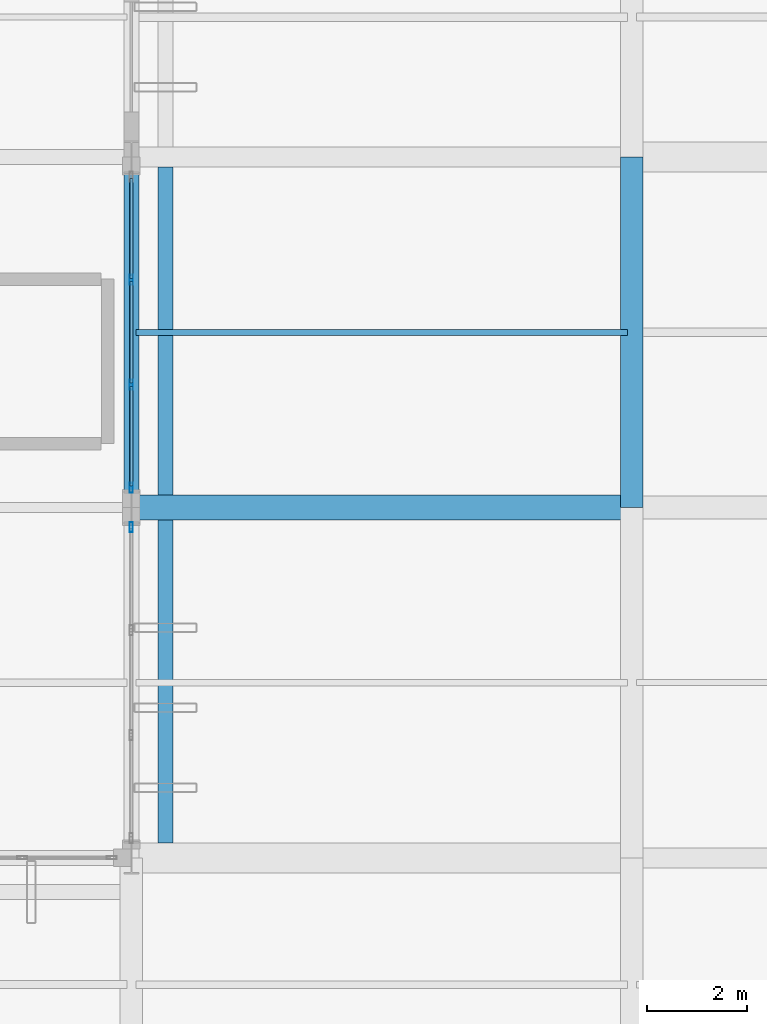
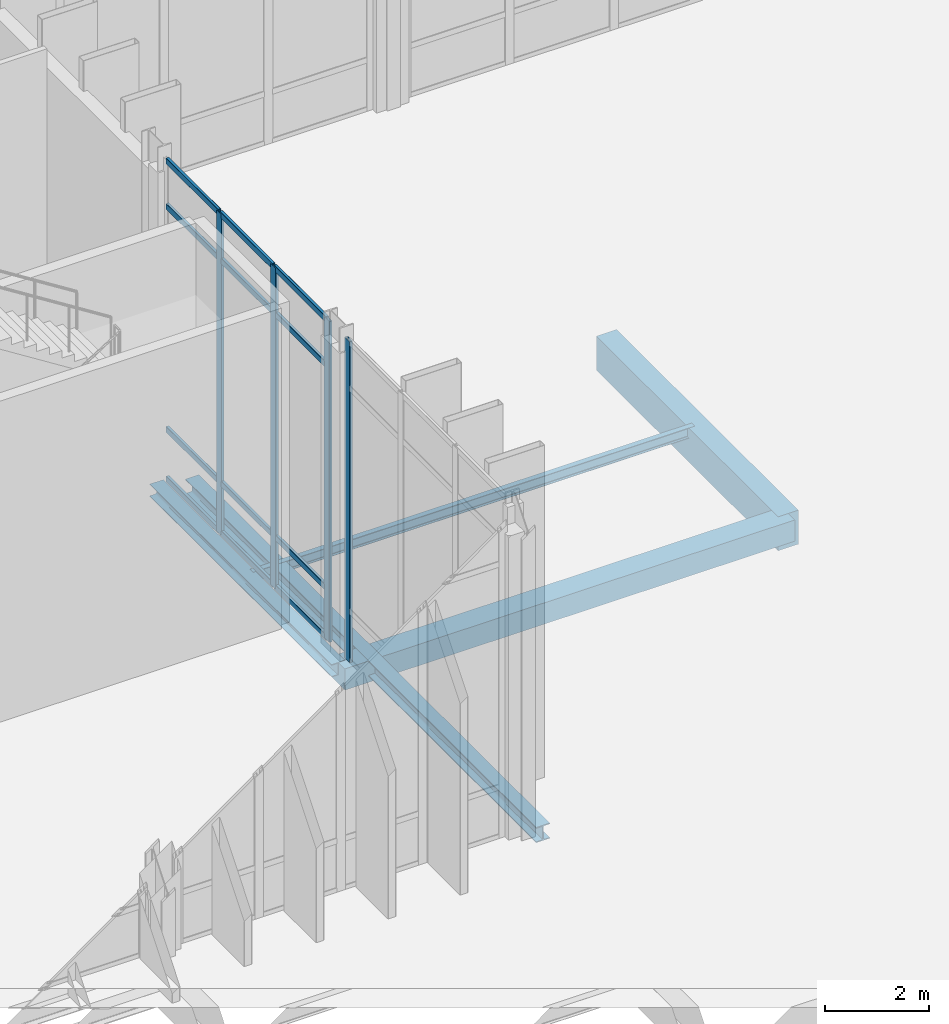
# One storey, part 89 of 176: 16 members, 5 beams, 2 elements without a shape of their own.
"""IFC4 building model written with IfcOpenShell, lengths in metres."""

from ifc_helpers import new_model, si_unit, direction, frame, origin, origin_2d, place, context, subcontext, project, spatial, rectangle, hollow_rectangle, i_section, extrude, material, layer, layer_set, material_profile, profile_set, type_object, element, aggregate, save


model = new_model("IFC4")

# Units and contexts
model_context = context("Model", 3, precision=1e-05, world=origin(), true_north=direction((0.0, 1.0)))
body_context = subcontext(model_context, "Body", "Model", "MODEL_VIEW")
ifc_project = project(units=[si_unit("LENGTHUNIT", "METRE"), si_unit("AREAUNIT", "SQUARE_METRE"), si_unit("VOLUMEUNIT", "CUBIC_METRE"), si_unit("PLANEANGLEUNIT", "RADIAN"), si_unit("MASSUNIT", "GRAM", prefix="KILO")], contexts=[model_context])

# Site, building, storey
site_placement = place(None, origin())
site = spatial("IfcSite", under=ifc_project, at=site_placement, CompositionType="ELEMENT")
building_placement = place(site_placement, origin())
building = spatial("IfcBuilding", under=site, at=building_placement, Name="Vekula Escarpment Museum", CompositionType="ELEMENT")
storey_placement = place(building_placement, origin())
storey = spatial("IfcBuildingStorey", under=building, at=storey_placement, Name="L01", CompositionType="ELEMENT", Elevation=0.0)

# Beams
ifc_material_1 = material(Name="Steel S355", Category="steel")
ifc_material_profile_1 = material_profile(ifc_material_1, i_section(OverallWidth=0.300048828125, OverallDepth=0.360107421875, WebThickness=0.012451171875, FlangeThickness=0.0224609375, FilletRadius=0.027099609375, at=origin_2d()), Name="HEB 360")
ifc_profile_set_1 = profile_set([ifc_material_profile_1], Name="Steel S355")
beam_type_1 = type_object("IfcBeamType", Name="BM-GIRD-HEB360", PredefinedType="BEAM", material=ifc_profile_set_1)
beam_1_placement = place(storey_placement, frame((126.679931640625, 45.89990234375, -0.47998046875), z_axis=(0.0, 1.0, 0.0), x_axis=(-1.0, 0.0, 0.0)))
element("IfcBeam", 1, at=beam_1_placement, inside=storey, type_object=beam_type_1, Name="Solar Fin Sill Girder 020", PredefinedType="BEAM", context=body_context, shape_type="SweptSolid", body=[
    extrude(i_section(OverallWidth=0.300048828125, OverallDepth=0.360107421875, WebThickness=0.012451171875, FlangeThickness=0.0224609375, FilletRadius=0.027099609375, at=origin_2d()), origin(), (0.0, 0.0, 1.0), 13.5),
])
ifc_material_2 = material(Name="Steel S355", Category="steel")
ifc_material_profile_2 = material_profile(ifc_material_2, i_section(OverallWidth=0.1201171875, OverallDepth=0.239990234375, WebThickness=0.006103515625, FlangeThickness=0.009765625, FilletRadius=0.014892578125, at=origin_2d()), Name="IPE 240")
ifc_profile_set_2 = profile_set([ifc_material_profile_2], Name="Steel S355")
beam_type_2 = type_object("IfcBeamType", Name="BM-JST-IPE240", PredefinedType="JOIST", material=ifc_profile_set_2)
beam_2_placement = place(storey_placement, frame((126.090087890625, 56.10009765625, -0.419921875), z_axis=(1.0, 0.0, 0.0), x_axis=(0.0, 1.0, 0.0)))
element("IfcBeam", 2, at=beam_2_placement, inside=storey, type_object=beam_type_2, Name="Secondary Joist L01 0426", PredefinedType="JOIST", context=body_context, shape_type="SweptSolid", body=[
    extrude(i_section(OverallWidth=0.1201171875, OverallDepth=0.239990234375, WebThickness=0.006103515625, FlangeThickness=0.009765625, FilletRadius=0.014892578125, at=origin_2d()), origin(), (0.0, 0.0, 1.0), 9.81982421875),
])
ifc_material_3 = material(Name="Concrete C35/45", Category="concrete")
ifc_material_profile_3 = material_profile(ifc_material_3, rectangle(XDim=0.449951171875, YDim=0.800048828125, at=origin_2d()), Name="RC 450x800")
ifc_profile_set_3 = profile_set([ifc_material_profile_3], Name="Concrete C35/45")
beam_type_3 = type_object("IfcBeamType", Name="BM-PLINTH-RC", PredefinedType="BEAM", material=ifc_profile_set_3)
beam_3_placement = place(storey_placement, frame((136.0, 52.60009765625, -0.699951171875), z_axis=(0.0, 1.0, 0.0), x_axis=(-1.0, 0.0, 0.0)))
element("IfcBeam", 3, at=beam_3_placement, inside=storey, type_object=beam_type_3, Name="Beam Y L01 0675", PredefinedType="BEAM", context=body_context, shape_type="SweptSolid", body=[
    extrude(rectangle(XDim=0.449951171875, YDim=0.800048828125, at=origin_2d()), origin(), (0.0, 0.0, 1.0), 7.0),
])
ifc_material_4 = material(Name="Concrete C35/45", Category="concrete")
ifc_material_profile_4 = material_profile(ifc_material_4, rectangle(XDim=0.5, YDim=0.5, at=origin_2d()), Name="RC 500x500")
ifc_profile_set_4 = profile_set([ifc_material_profile_4], Name="Concrete C35/45")
beam_type_4 = type_object("IfcBeamType", Name="BM-PLINTH-RC3", PredefinedType="BEAM", material=ifc_profile_set_4)
beam_4_placement = place(storey_placement, frame((126.0, 52.60009765625, -0.550048828125), z_axis=(1.0, 0.0, 0.0), x_axis=(0.0, 1.0, 0.0)))
element("IfcBeam", 4, at=beam_4_placement, inside=storey, type_object=beam_type_4, Name="Beam X L01 0153", PredefinedType="BEAM", context=body_context, shape_type="SweptSolid", body=[
    extrude(rectangle(XDim=0.5, YDim=0.5, at=origin_2d()), origin(), (0.0, 0.0, 1.0), 10.0),
])
ifc_material_5 = material(Name="Steel S355", Category="steel")
ifc_material_profile_5 = material_profile(ifc_material_5, i_section(OverallWidth=0.300048828125, OverallDepth=0.2900390625, WebThickness=0.008544921875, FlangeThickness=0.013916015625, FilletRadius=0.027099609375, at=origin_2d()), Name="HEA 300")
ifc_profile_set_5 = profile_set([ifc_material_profile_5], Name="Steel S355")
beam_type_5 = type_object("IfcBeamType", Name="BM-SPAN-HEA300", PredefinedType="SPANDREL", material=ifc_profile_set_5)
beam_5_placement = place(storey_placement, frame((126.0, 52.60009765625, -0.445068359375), z_axis=(0.0, 1.0, 0.0), x_axis=(-1.0, 0.0, 0.0)))
element("IfcBeam", 5, at=beam_5_placement, inside=storey, type_object=beam_type_5, Name="Beam Y L01 0656", PredefinedType="SPANDREL", context=body_context, shape_type="SweptSolid", body=[
    extrude(i_section(OverallWidth=0.300048828125, OverallDepth=0.2900390625, WebThickness=0.008544921875, FlangeThickness=0.013916015625, FilletRadius=0.027099609375, at=origin_2d()), origin(), (0.0, 0.0, 1.0), 7.0),
])

# Curtain wall, member
ifc_material_6 = material(Name="Aluminium thermally broken framing", Category="aluminium")
ifc_layer_1 = layer(ifc_material_6, 0.169921875)
ifc_layer_set_1 = layer_set([ifc_layer_1], Name="Aluminium thermally broken framing")
curtain_wall_type_1 = type_object("IfcCurtainWallType", Name="CW-SYS-10", PredefinedType="NOTDEFINED", material=ifc_layer_set_1)
curtain_wall_1_placement = place(storey_placement, origin())
curtain_wall_1 = element("IfcCurtainWall", 6, at=curtain_wall_1_placement, inside=storey, type_object=curtain_wall_type_1, Name="Curtain Wall CW-L01-010", PredefinedType="NOTDEFINED")
ifc_material_7 = material(Name="Aluminium anodized mullion", Category="aluminium")
ifc_material_profile_6 = material_profile(ifc_material_7, hollow_rectangle(XDim=0.06494140625, YDim=0.199951171875, WallThickness=0.00390625, InnerFilletRadius=0.00390625, OuterFilletRadius=0.008056640625, at=origin_2d()), Name="ALU 200x65x4")
ifc_profile_set_6 = profile_set([ifc_material_profile_6], Name="Aluminium anodized mullion")
member_type_1 = type_object("IfcMemberType", Name="CW-MUL-200", PredefinedType="MULLION", material=ifc_profile_set_6)
member_1_placement = place(storey_placement, frame((126.0, 52.20751953125, 0.0), z_axis=(0.0, 0.0, 1.0), x_axis=(-1.0, 0.0, 0.0)))
member_1 = element("IfcMember", 7, at=member_1_placement, type_object=member_type_1, Name="CW-10 mullion 4", PredefinedType="MULLION", context=body_context, shape_type="SweptSolid", body=[
    extrude(hollow_rectangle(XDim=0.06494140625, YDim=0.199951171875, WallThickness=0.00390625, InnerFilletRadius=0.00390625, OuterFilletRadius=0.008056640625, at=origin_2d()), origin(), (0.0, 0.0, 1.0), 7.5400390625),
])
aggregate(curtain_wall_1, [member_1])

# Curtain wall, members
ifc_material_8 = material(Name="Aluminium thermally broken framing", Category="aluminium")
ifc_layer_2 = layer(ifc_material_8, 0.159912109375)
ifc_layer_set_2 = layer_set([ifc_layer_2], Name="Aluminium thermally broken framing")
curtain_wall_type_2 = type_object("IfcCurtainWallType", Name="CW-SYS-01", PredefinedType="NOTDEFINED", material=ifc_layer_set_2)
curtain_wall_2_placement = place(storey_placement, origin())
curtain_wall_2 = element("IfcCurtainWall", 8, at=curtain_wall_2_placement, inside=storey, type_object=curtain_wall_type_2, Name="Curtain Wall CW-L01-011", PredefinedType="NOTDEFINED")
member_2_placement = place(storey_placement, frame((126.0, 52.992431640625, 0.0), z_axis=(0.0, 0.0, 1.0), x_axis=(-1.0, 0.0, 0.0)))
member_2 = element("IfcMember", 9, at=member_2_placement, type_object=member_type_1, Name="CW-01 mullion 1", PredefinedType="MULLION", context=body_context, shape_type="SweptSolid", body=[
    extrude(hollow_rectangle(XDim=0.06494140625, YDim=0.199951171875, WallThickness=0.00390625, InnerFilletRadius=0.00390625, OuterFilletRadius=0.008056640625, at=origin_2d()), origin(), (0.0, 0.0, 1.0), 7.5400390625),
])
member_3_placement = place(storey_placement, frame((126.0, 55.05322265625, 0.0), z_axis=(0.0, 0.0, 1.0), x_axis=(-1.0, 0.0, 0.0)))
member_3 = element("IfcMember", 10, at=member_3_placement, type_object=member_type_1, Name="CW-01 mullion 2", PredefinedType="MULLION", context=body_context, shape_type="SweptSolid", body=[
    extrude(hollow_rectangle(XDim=0.06494140625, YDim=0.199951171875, WallThickness=0.00390625, InnerFilletRadius=0.00390625, OuterFilletRadius=0.008056640625, at=origin_2d()), origin(), (0.0, 0.0, 1.0), 7.5400390625),
])
member_4_placement = place(storey_placement, frame((126.0, 57.146728515625, 0.0), z_axis=(0.0, 0.0, 1.0), x_axis=(-1.0, 0.0, 0.0)))
member_4 = element("IfcMember", 11, at=member_4_placement, type_object=member_type_1, Name="CW-01 mullion 3", PredefinedType="MULLION", context=body_context, shape_type="SweptSolid", body=[
    extrude(hollow_rectangle(XDim=0.06494140625, YDim=0.199951171875, WallThickness=0.00390625, InnerFilletRadius=0.00390625, OuterFilletRadius=0.008056640625, at=origin_2d()), origin(), (0.0, 0.0, 1.0), 7.5400390625),
])
ifc_material_9 = material(Name="Aluminium anodized transom", Category="aluminium")
ifc_material_profile_7 = material_profile(ifc_material_9, hollow_rectangle(XDim=0.06494140625, YDim=0.139892578125, WallThickness=0.00390625, InnerFilletRadius=0.00390625, OuterFilletRadius=0.008056640625, at=origin_2d()), Name="ALU 140x65x4")
ifc_profile_set_7 = profile_set([ifc_material_profile_7], Name="Aluminium anodized transom")
member_type_2 = type_object("IfcMemberType", Name="CW-TRN-140", PredefinedType="USERDEFINED", material=ifc_profile_set_7)
member_5_placement = place(storey_placement, frame((126.0, 53.02490234375, 0.032470703125), z_axis=(0.0, 1.0, 0.0), x_axis=(-1.0, 0.0, 0.0)))
member_5 = element("IfcMember", 12, at=member_5_placement, type_object=member_type_2, Name="CW-01 transom 1.1", ObjectType="TRANSOM", PredefinedType="USERDEFINED", context=body_context, shape_type="SweptSolid", body=[
    extrude(hollow_rectangle(XDim=0.06494140625, YDim=0.139892578125, WallThickness=0.00390625, InnerFilletRadius=0.00390625, OuterFilletRadius=0.008056640625, at=origin_2d()), origin(), (0.0, 0.0, 1.0), 1.995849609375),
])
member_6_placement = place(storey_placement, frame((126.0, 53.02490234375, 1.199951171875), z_axis=(0.0, 1.0, 0.0), x_axis=(-1.0, 0.0, 0.0)))
member_6 = element("IfcMember", 13, at=member_6_placement, type_object=member_type_2, Name="CW-01 transom 1.2", ObjectType="TRANSOM", PredefinedType="USERDEFINED", context=body_context, shape_type="SweptSolid", body=[
    extrude(hollow_rectangle(XDim=0.06494140625, YDim=0.139892578125, WallThickness=0.00390625, InnerFilletRadius=0.00390625, OuterFilletRadius=0.008056640625, at=origin_2d()), origin(), (0.0, 0.0, 1.0), 1.995849609375),
])
member_7_placement = place(storey_placement, frame((126.0, 53.02490234375, 6.43994140625), z_axis=(0.0, 1.0, 0.0), x_axis=(-1.0, 0.0, 0.0)))
member_7 = element("IfcMember", 14, at=member_7_placement, type_object=member_type_2, Name="CW-01 transom 1.3", ObjectType="TRANSOM", PredefinedType="USERDEFINED", context=body_context, shape_type="SweptSolid", body=[
    extrude(hollow_rectangle(XDim=0.06494140625, YDim=0.139892578125, WallThickness=0.00390625, InnerFilletRadius=0.00390625, OuterFilletRadius=0.008056640625, at=origin_2d()), origin(), (0.0, 0.0, 1.0), 1.995849609375),
])
member_8_placement = place(storey_placement, frame((126.0, 53.02490234375, 7.507568359375), z_axis=(0.0, 1.0, 0.0), x_axis=(-1.0, 0.0, 0.0)))
member_8 = element("IfcMember", 15, at=member_8_placement, type_object=member_type_2, Name="CW-01 transom 1.4", ObjectType="TRANSOM", PredefinedType="USERDEFINED", context=body_context, shape_type="SweptSolid", body=[
    extrude(hollow_rectangle(XDim=0.06494140625, YDim=0.139892578125, WallThickness=0.00390625, InnerFilletRadius=0.00390625, OuterFilletRadius=0.008056640625, at=origin_2d()), origin(), (0.0, 0.0, 1.0), 1.995849609375),
])
member_9_placement = place(storey_placement, frame((126.0, 55.0859375, 0.032470703125), z_axis=(0.0, 1.0, 0.0), x_axis=(-1.0, 0.0, 0.0)))
member_9 = element("IfcMember", 16, at=member_9_placement, type_object=member_type_2, Name="CW-01 transom 2.1", ObjectType="TRANSOM", PredefinedType="USERDEFINED", context=body_context, shape_type="SweptSolid", body=[
    extrude(hollow_rectangle(XDim=0.06494140625, YDim=0.139892578125, WallThickness=0.00390625, InnerFilletRadius=0.00390625, OuterFilletRadius=0.008056640625, at=origin_2d()), origin(), (0.0, 0.0, 1.0), 2.0283203125),
])
member_10_placement = place(storey_placement, frame((126.0, 55.0859375, 1.199951171875), z_axis=(0.0, 1.0, 0.0), x_axis=(-1.0, 0.0, 0.0)))
member_10 = element("IfcMember", 17, at=member_10_placement, type_object=member_type_2, Name="CW-01 transom 2.2", ObjectType="TRANSOM", PredefinedType="USERDEFINED", context=body_context, shape_type="SweptSolid", body=[
    extrude(hollow_rectangle(XDim=0.06494140625, YDim=0.139892578125, WallThickness=0.00390625, InnerFilletRadius=0.00390625, OuterFilletRadius=0.008056640625, at=origin_2d()), origin(), (0.0, 0.0, 1.0), 2.0283203125),
])
member_11_placement = place(storey_placement, frame((126.0, 55.0859375, 6.43994140625), z_axis=(0.0, 1.0, 0.0), x_axis=(-1.0, 0.0, 0.0)))
member_11 = element("IfcMember", 18, at=member_11_placement, type_object=member_type_2, Name="CW-01 transom 2.3", ObjectType="TRANSOM", PredefinedType="USERDEFINED", context=body_context, shape_type="SweptSolid", body=[
    extrude(hollow_rectangle(XDim=0.06494140625, YDim=0.139892578125, WallThickness=0.00390625, InnerFilletRadius=0.00390625, OuterFilletRadius=0.008056640625, at=origin_2d()), origin(), (0.0, 0.0, 1.0), 2.0283203125),
])
member_12_placement = place(storey_placement, frame((126.0, 55.0859375, 7.507568359375), z_axis=(0.0, 1.0, 0.0), x_axis=(-1.0, 0.0, 0.0)))
member_12 = element("IfcMember", 19, at=member_12_placement, type_object=member_type_2, Name="CW-01 transom 2.4", ObjectType="TRANSOM", PredefinedType="USERDEFINED", context=body_context, shape_type="SweptSolid", body=[
    extrude(hollow_rectangle(XDim=0.06494140625, YDim=0.139892578125, WallThickness=0.00390625, InnerFilletRadius=0.00390625, OuterFilletRadius=0.008056640625, at=origin_2d()), origin(), (0.0, 0.0, 1.0), 2.0283203125),
])
member_13_placement = place(storey_placement, frame((126.0, 57.17919921875, 0.032470703125), z_axis=(0.0, 1.0, 0.0), x_axis=(-1.0, 0.0, 0.0)))
member_13 = element("IfcMember", 20, at=member_13_placement, type_object=member_type_2, Name="CW-01 transom 3.1", ObjectType="TRANSOM", PredefinedType="USERDEFINED", context=body_context, shape_type="SweptSolid", body=[
    extrude(hollow_rectangle(XDim=0.06494140625, YDim=0.139892578125, WallThickness=0.00390625, InnerFilletRadius=0.00390625, OuterFilletRadius=0.008056640625, at=origin_2d()), origin(), (0.0, 0.0, 1.0), 1.995849609375),
])
member_14_placement = place(storey_placement, frame((126.0, 57.17919921875, 1.199951171875), z_axis=(0.0, 1.0, 0.0), x_axis=(-1.0, 0.0, 0.0)))
member_14 = element("IfcMember", 21, at=member_14_placement, type_object=member_type_2, Name="CW-01 transom 3.2", ObjectType="TRANSOM", PredefinedType="USERDEFINED", context=body_context, shape_type="SweptSolid", body=[
    extrude(hollow_rectangle(XDim=0.06494140625, YDim=0.139892578125, WallThickness=0.00390625, InnerFilletRadius=0.00390625, OuterFilletRadius=0.008056640625, at=origin_2d()), origin(), (0.0, 0.0, 1.0), 1.995849609375),
])
member_15_placement = place(storey_placement, frame((126.0, 57.17919921875, 6.43994140625), z_axis=(0.0, 1.0, 0.0), x_axis=(-1.0, 0.0, 0.0)))
member_15 = element("IfcMember", 22, at=member_15_placement, type_object=member_type_2, Name="CW-01 transom 3.3", ObjectType="TRANSOM", PredefinedType="USERDEFINED", context=body_context, shape_type="SweptSolid", body=[
    extrude(hollow_rectangle(XDim=0.06494140625, YDim=0.139892578125, WallThickness=0.00390625, InnerFilletRadius=0.00390625, OuterFilletRadius=0.008056640625, at=origin_2d()), origin(), (0.0, 0.0, 1.0), 1.995849609375),
])
member_16_placement = place(storey_placement, frame((126.0, 57.17919921875, 7.507568359375), z_axis=(0.0, 1.0, 0.0), x_axis=(-1.0, 0.0, 0.0)))
member_16 = element("IfcMember", 23, at=member_16_placement, type_object=member_type_2, Name="CW-01 transom 3.4", ObjectType="TRANSOM", PredefinedType="USERDEFINED", context=body_context, shape_type="SweptSolid", body=[
    extrude(hollow_rectangle(XDim=0.06494140625, YDim=0.139892578125, WallThickness=0.00390625, InnerFilletRadius=0.00390625, OuterFilletRadius=0.008056640625, at=origin_2d()), origin(), (0.0, 0.0, 1.0), 1.995849609375),
])
aggregate(curtain_wall_2, [member_2, member_3, member_4, member_5, member_6, member_7, member_8, member_9, member_10, member_11, member_12, member_13, member_14, member_15, member_16])

save(model, "model.ifc")
